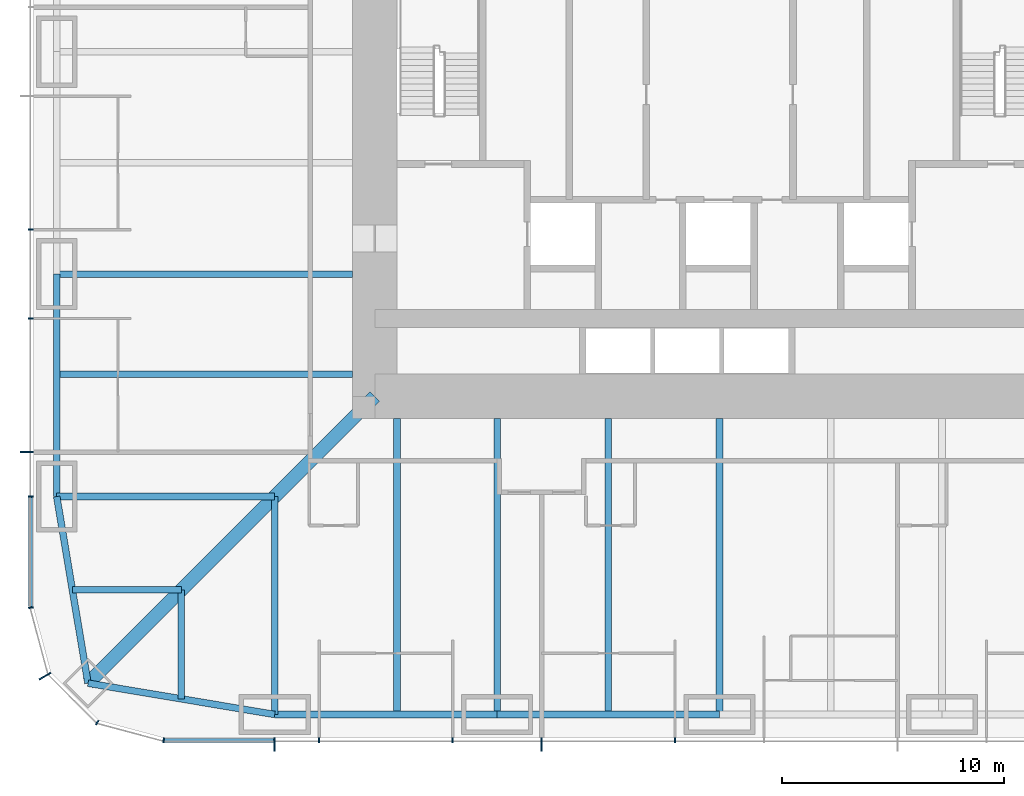
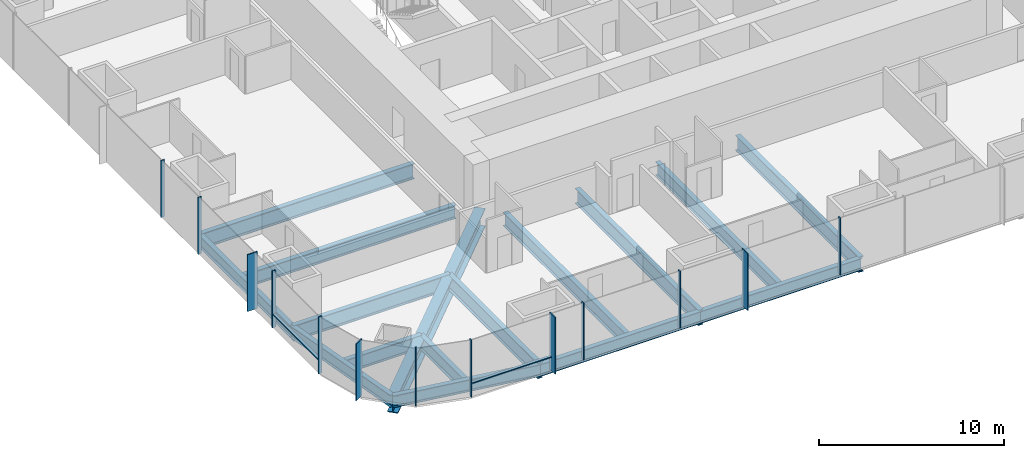
# One storey, part 2 of 17: 16 beams, 15 members, 3 elements without a shape of their own.
"""IFC4 building model written with IfcOpenShell, lengths in metres."""

from ifc_helpers import new_model, si_unit, direction, frame, origin, origin_2d, place, context, subcontext, project, spatial, rectangle, i_section, extrude, material, material_profile, profile_set, type_object, element, aggregate, save


model = new_model("IFC4")

# Units and contexts
model_context = context("Model", 3, precision=1e-05, world=origin(), true_north=direction((0.0, 1.0)))
body_context = subcontext(model_context, "Body", "Model", "MODEL_VIEW")
ifc_project = project(units=[si_unit("LENGTHUNIT", "METRE"), si_unit("AREAUNIT", "SQUARE_METRE"), si_unit("VOLUMEUNIT", "CUBIC_METRE"), si_unit("PLANEANGLEUNIT", "RADIAN"), si_unit("MASSUNIT", "GRAM", prefix="KILO")], contexts=[model_context])

# Site, building, storey
site_placement = place(None, origin())
site = spatial("IfcSite", under=ifc_project, at=site_placement, CompositionType="ELEMENT")
building_placement = place(site_placement, origin())
building = spatial("IfcBuilding", under=site, at=building_placement, Name="Khuree Lantern Residences", CompositionType="ELEMENT")
storey_placement = place(building_placement, frame((0.0, 0.0, 92.25)))
storey = spatial("IfcBuildingStorey", under=building, at=storey_placement, Name="L23", CompositionType="ELEMENT", Elevation=92.25)

# Beams
ifc_material_1 = material(Name="Steel S355", Category="steel")
ifc_material_profile_1 = material_profile(ifc_material_1, i_section(OverallWidth=0.300048828125, OverallDepth=0.889892578125, WebThickness=0.01611328125, FlangeThickness=0.030029296875, FilletRadius=0.030029296875, at=origin_2d()), Name="HE 900 A")
ifc_profile_set_1 = profile_set([ifc_material_profile_1], Name="Steel S355")
beam_type_1 = type_object("IfcBeamType", Name="B-15 SECONDARY BEAM HE 900 A", PredefinedType="BEAM", material=ifc_profile_set_1)
for number, where, z_axis, x_axis, name in (
    (1, (-5.0, -29.800048828125, -0.695068359375), (0.0, 1.0, 0.0), (-1.0, 0.0, 0.0), "Secondary beam S4"),
    (2, (-14.5, -29.800048828125, -0.695068359375), (0.0, 1.0, 0.0), (-1.0, 0.0, 0.0), "Secondary beam S5"),
):
    element("IfcBeam", number, at=place(storey_placement, frame(where, z_axis=z_axis, x_axis=x_axis)), inside=storey, type_object=beam_type_1, Name=name, PredefinedType="BEAM", context=body_context, shape_type="SweptSolid", body=[
        extrude(i_section(OverallWidth=0.300048828125, OverallDepth=0.889892578125, WebThickness=0.01611328125, FlangeThickness=0.030029296875, FilletRadius=0.030029296875, at=origin_2d()), origin(), (0.0, 0.0, 1.0), 13.300048828125),
    ])
for number, where, z_axis, x_axis, name in (
    (3, (-24.197021484375, -29.09716796875, -0.695068359375), (0.0, 1.0, 0.0), (-1.0, 0.0, 0.0), "Secondary beam S6"),
    (4, (-29.09716796875, -24.197021484375, -0.695068359375), (1.0, 0.0, 0.0), (0.0, 1.0, 0.0), "Secondary beam W1"),
):
    element("IfcBeam", number, at=place(storey_placement, frame(where, z_axis=z_axis, x_axis=x_axis)), inside=storey, type_object=beam_type_1, Name=name, PredefinedType="BEAM", context=body_context, shape_type="SweptSolid", body=[
        extrude(i_section(OverallWidth=0.300048828125, OverallDepth=0.889892578125, WebThickness=0.01611328125, FlangeThickness=0.030029296875, FilletRadius=0.030029296875, at=origin_2d()), origin(), (0.0, 0.0, 1.0), 4.900146484375),
    ])
beam_1_placement = place(storey_placement, frame((-29.800048828125, -14.5, -0.695068359375), z_axis=(1.0, 0.0, 0.0), x_axis=(0.0, 1.0, 0.0)))
element("IfcBeam", 5, at=beam_1_placement, inside=storey, type_object=beam_type_1, Name="Secondary beam W2", PredefinedType="BEAM", context=body_context, shape_type="SweptSolid", body=[
    extrude(i_section(OverallWidth=0.300048828125, OverallDepth=0.889892578125, WebThickness=0.01611328125, FlangeThickness=0.030029296875, FilletRadius=0.030029296875, at=origin_2d()), origin(), (0.0, 0.0, 1.0), 13.300048828125),
])
ifc_material_profile_2 = material_profile(ifc_material_1, i_section(OverallWidth=0.300048828125, OverallDepth=0.7900390625, WebThickness=0.014892578125, FlangeThickness=0.028076171875, FilletRadius=0.030029296875, at=origin_2d()), Name="HE 800 A")
ifc_profile_set_2 = profile_set([ifc_material_profile_2], Name="Steel S355")
beam_type_2 = type_object("IfcBeamType", Name="E-15 SPANDREL BEAM HE 800 A", PredefinedType="SPANDREL", material=ifc_profile_set_2)
for number, where, z_axis, x_axis, name in (
    (6, (0.0, -29.800048828125, -0.64501953125), (-1.0, 0.0, 0.0), (0.0, -1.0, 0.0), "Spandrel beam S4"),
    (7, (-10.0, -29.800048828125, -0.64501953125), (-1.0, 0.0, 0.0), (0.0, -1.0, 0.0), "Spandrel beam S5"),
):
    element("IfcBeam", number, at=place(storey_placement, frame(where, z_axis=z_axis, x_axis=x_axis)), inside=storey, type_object=beam_type_2, Name=name, PredefinedType="SPANDREL", context=body_context, shape_type="SweptSolid", body=[
        extrude(i_section(OverallWidth=0.300048828125, OverallDepth=0.7900390625, WebThickness=0.014892578125, FlangeThickness=0.028076171875, FilletRadius=0.030029296875, at=origin_2d()), origin(), (0.0, 0.0, 1.0), 10.0),
    ])
for number, where, z_axis, x_axis, name in (
    (8, (-20.0, -29.800048828125, -0.64501953125), (-0.986260251158, 0.165199022349, 0.0), (-0.165199022349, -0.986260251158, 0.0), "Spandrel beam S6"),
    (9, (-28.39404296875, -28.39404296875, -0.64501953125), (-0.165199022349, 0.986260251158, 0.0), (-0.986260251158, -0.165199022349, 0.0), "Spandrel beam W1"),
):
    element("IfcBeam", number, at=place(storey_placement, frame(where, z_axis=z_axis, x_axis=x_axis)), inside=storey, type_object=beam_type_2, Name=name, PredefinedType="SPANDREL", context=body_context, shape_type="SweptSolid", body=[
        extrude(i_section(OverallWidth=0.300048828125, OverallDepth=0.7900390625, WebThickness=0.014892578125, FlangeThickness=0.028076171875, FilletRadius=0.030029296875, at=origin_2d()), origin(), (0.0, 0.0, 1.0), 8.510986328125),
    ])
beam_2_placement = place(storey_placement, frame((-29.800048828125, -20.0, -0.64501953125), z_axis=(0.0, 1.0, 0.0), x_axis=(-1.0, 0.0, 0.0)))
element("IfcBeam", 10, at=beam_2_placement, inside=storey, type_object=beam_type_2, Name="Spandrel beam W2", PredefinedType="SPANDREL", context=body_context, shape_type="SweptSolid", body=[
    extrude(i_section(OverallWidth=0.300048828125, OverallDepth=0.7900390625, WebThickness=0.014892578125, FlangeThickness=0.028076171875, FilletRadius=0.030029296875, at=origin_2d()), origin(), (0.0, 0.0, 1.0), 10.0),
])

# Curtain wall, member
ifc_material_2 = material(Name="Bronze anodised aluminium", Category="aluminium")
curtain_wall_type_1 = type_object("IfcCurtainWallType", Name="CW-T1 TOWER FACE CURTAIN WALL", PredefinedType="USERDEFINED", material=ifc_material_2)
curtain_wall_1_placement = place(storey_placement, origin())
curtain_wall_1 = element("IfcCurtainWall", 11, at=curtain_wall_1_placement, inside=storey, type_object=curtain_wall_type_1, Name="L23 WEST FACE CURTAIN WALL", ObjectType="Stick-built curtain wall", PredefinedType="USERDEFINED")
ifc_material_profile_3 = material_profile(ifc_material_2, rectangle(XDim=0.06494140625, YDim=0.60009765625, at=origin_2d()), Name="F1 65X600")
ifc_profile_set_3 = profile_set([ifc_material_profile_3], Name="Bronze anodised aluminium")
member_type_1 = type_object("IfcMemberType", Name="F1 BRONZE FIN MULLION TOWER 65X600", PredefinedType="MULLION", material=ifc_profile_set_3)
member_1_placement = place(storey_placement, frame((-31.14990234375, -18.0, 0.0), z_axis=(0.0, 0.0, 1.0), x_axis=(0.0, -1.0, 0.0)))
member_1 = element("IfcMember", 12, at=member_1_placement, type_object=member_type_1, Name="L23 WEST FACE FIN MULLION 41", PredefinedType="MULLION", context=body_context, shape_type="SweptSolid", body=[
    extrude(rectangle(XDim=0.06494140625, YDim=0.60009765625, at=origin_2d()), origin(), (0.0, 0.0, 1.0), 3.75),
])

curtain_wall_type_2 = type_object("IfcCurtainWallType", Name="CW-T2 TOWER CORNER CURTAIN WALL", PredefinedType="USERDEFINED", material=ifc_material_2)
curtain_wall_2_placement = place(storey_placement, origin())
curtain_wall_2 = element("IfcCurtainWall", 13, at=curtain_wall_2_placement, inside=storey, type_object=curtain_wall_type_2, Name="L23 SOUTH-WEST CORNER CURTAIN WALL", ObjectType="Faceted corner curtain wall", PredefinedType="USERDEFINED")
member_2_placement = place(storey_placement, frame((-30.326171875, -28.074951171875, 0.0), z_axis=(0.0, 0.0, 1.0), x_axis=(0.500000056923, -0.86602537092, 0.0)))
member_2 = element("IfcMember", 14, at=member_2_placement, type_object=member_type_1, Name="L23 SOUTH-WEST CORNER FIN MULLION 44", PredefinedType="MULLION", context=body_context, shape_type="SweptSolid", body=[
    extrude(rectangle(XDim=0.06494140625, YDim=0.60009765625, at=origin_2d()), origin(), (0.0, 0.0, 1.0), 3.75),
])

# Curtain wall, members
curtain_wall_3_placement = place(storey_placement, origin())
curtain_wall_3 = element("IfcCurtainWall", 15, at=curtain_wall_3_placement, inside=storey, type_object=curtain_wall_type_1, Name="L23 SOUTH FACE CURTAIN WALL", ObjectType="Stick-built curtain wall", PredefinedType="USERDEFINED")
member_3_placement = place(storey_placement, frame((-20.0, -31.14990234375, 0.0), z_axis=(0.0, 0.0, 1.0), x_axis=(1.0, 0.0, 0.0)))
member_3 = element("IfcMember", 16, at=member_3_placement, type_object=member_type_1, Name="L23 SOUTH FACE FIN MULLION 47", PredefinedType="MULLION", context=body_context, shape_type="SweptSolid", body=[
    extrude(rectangle(XDim=0.06494140625, YDim=0.60009765625, at=origin_2d()), origin(), (0.0, 0.0, 1.0), 3.75),
])
member_4_placement = place(storey_placement, frame((-8.0, -31.14990234375, 0.0), z_axis=(0.0, 0.0, 1.0), x_axis=(1.0, 0.0, 0.0)))
member_4 = element("IfcMember", 17, at=member_4_placement, type_object=member_type_1, Name="L23 SOUTH FACE FIN MULLION 50", PredefinedType="MULLION", context=body_context, shape_type="SweptSolid", body=[
    extrude(rectangle(XDim=0.06494140625, YDim=0.60009765625, at=origin_2d()), origin(), (0.0, 0.0, 1.0), 3.75),
])

# Beams
ifc_material_profile_4 = material_profile(ifc_material_1, i_section(OverallWidth=0.302001953125, OverallDepth=1.008056640625, WebThickness=0.02099609375, FlangeThickness=0.0400390625, FilletRadius=0.030029296875, at=origin_2d()), Name="HE 1000 M")
ifc_profile_set_4 = profile_set([ifc_material_profile_4], Name="Steel S355")
beam_type_3 = type_object("IfcBeamType", Name="G-15 GIRDER HE 1000 M", PredefinedType="BEAM", material=ifc_profile_set_4)
for number, where, z_axis, x_axis, name in (
    (18, (0.0, -29.800048828125, -0.75390625), (0.0, 1.0, 0.0), (-1.0, 0.0, 0.0), "Girder S3"),
    (19, (-10.0, -29.800048828125, -0.75390625), (0.0, 1.0, 0.0), (-1.0, 0.0, 0.0), "Girder S4"),
):
    element("IfcBeam", number, at=place(storey_placement, frame(where, z_axis=z_axis, x_axis=x_axis)), inside=storey, type_object=beam_type_3, Name=name, PredefinedType="BEAM", context=body_context, shape_type="SweptSolid", body=[
        extrude(i_section(OverallWidth=0.302001953125, OverallDepth=1.008056640625, WebThickness=0.02099609375, FlangeThickness=0.0400390625, FilletRadius=0.030029296875, at=origin_2d()), origin(), (0.0, 0.0, 1.0), 13.300048828125),
    ])
for number, where, z_axis, x_axis, name in (
    (20, (-20.0, -29.800048828125, -0.75390625), (0.0, 1.0, 0.0), (-1.0, 0.0, 0.0), "Girder S5"),
    (21, (-29.800048828125, -20.0, -0.75390625), (1.0, 0.0, 0.0), (0.0, 1.0, 0.0), "Girder W1"),
):
    element("IfcBeam", number, at=place(storey_placement, frame(where, z_axis=z_axis, x_axis=x_axis)), inside=storey, type_object=beam_type_3, Name=name, PredefinedType="BEAM", context=body_context, shape_type="SweptSolid", body=[
        extrude(i_section(OverallWidth=0.302001953125, OverallDepth=1.008056640625, WebThickness=0.02099609375, FlangeThickness=0.0400390625, FilletRadius=0.030029296875, at=origin_2d()), origin(), (0.0, 0.0, 1.0), 9.800048828125),
    ])
beam_3_placement = place(storey_placement, frame((-29.800048828125, -10.0, -0.75390625), z_axis=(1.0, 0.0, 0.0), x_axis=(0.0, 1.0, 0.0)))
element("IfcBeam", 22, at=beam_3_placement, inside=storey, type_object=beam_type_3, Name="Girder W2", PredefinedType="BEAM", context=body_context, shape_type="SweptSolid", body=[
    extrude(i_section(OverallWidth=0.302001953125, OverallDepth=1.008056640625, WebThickness=0.02099609375, FlangeThickness=0.0400390625, FilletRadius=0.030029296875, at=origin_2d()), origin(), (0.0, 0.0, 1.0), 13.300048828125),
])
ifc_material_profile_5 = material_profile(ifc_material_1, i_section(OverallWidth=0.60009765625, OverallDepth=1.199951171875, WebThickness=0.030029296875, FlangeThickness=0.06005859375, at=origin_2d()), Name="WELDED I 1200X600X30X60")
ifc_profile_set_5 = profile_set([ifc_material_profile_5], Name="Steel S355")
beam_type_4 = type_object("IfcBeamType", Name="GD-15 CORNER GIRDER WELDED I 1200X600X30X60", PredefinedType="BEAM", material=ifc_profile_set_5)
beam_4_placement = place(storey_placement, frame((-28.39404296875, -28.39404296875, -0.85009765625), z_axis=(0.707106781187, 0.707106781187, 0.0), x_axis=(-0.707106781187, 0.707106781187, 0.0)))
element("IfcBeam", 23, at=beam_4_placement, inside=storey, type_object=beam_type_4, Name="Corner girder SW", PredefinedType="BEAM", context=body_context, shape_type="SweptSolid", body=[
    extrude(i_section(OverallWidth=0.60009765625, OverallDepth=1.199951171875, WebThickness=0.030029296875, FlangeThickness=0.06005859375, at=origin_2d()), origin(), (0.0, 0.0, 1.0), 18.23486328125),
])

# Member
ifc_material_profile_6 = material_profile(ifc_material_2, rectangle(XDim=0.06494140625, YDim=0.219970703125, at=origin_2d()), Name="M1 65X220")
ifc_profile_set_6 = profile_set([ifc_material_profile_6], Name="Bronze anodised aluminium")
member_type_2 = type_object("IfcMemberType", Name="M1 BRONZE MULLION TOWER 65X220", PredefinedType="MULLION", material=ifc_profile_set_6)
member_5_placement = place(storey_placement, frame((-30.9599609375, -8.0, 0.0), z_axis=(0.0, 0.0, 1.0), x_axis=(0.0, -1.0, 0.0)))
member_5 = element("IfcMember", 24, at=member_5_placement, type_object=member_type_2, Name="L23 WEST FACE MULLION 39", PredefinedType="MULLION", context=body_context, shape_type="SweptSolid", body=[
    extrude(rectangle(XDim=0.06494140625, YDim=0.219970703125, at=origin_2d()), origin(), (0.0, 0.0, 1.0), 3.75),
])

member_6_placement = place(storey_placement, frame((-30.9599609375, -12.0, 0.0), z_axis=(0.0, 0.0, 1.0), x_axis=(0.0, -1.0, 0.0)))
member_6 = element("IfcMember", 25, at=member_6_placement, type_object=member_type_2, Name="L23 WEST FACE MULLION 40", PredefinedType="MULLION", context=body_context, shape_type="SweptSolid", body=[
    extrude(rectangle(XDim=0.06494140625, YDim=0.219970703125, at=origin_2d()), origin(), (0.0, 0.0, 1.0), 3.75),
])

member_7_placement = place(storey_placement, frame((-30.9599609375, -20.0, 0.0), z_axis=(0.0, 0.0, 1.0), x_axis=(0.0, -1.0, 0.0)))
member_7 = element("IfcMember", 26, at=member_7_placement, type_object=member_type_2, Name="L23 WEST FACE MULLION 42", PredefinedType="MULLION", context=body_context, shape_type="SweptSolid", body=[
    extrude(rectangle(XDim=0.06494140625, YDim=0.219970703125, at=origin_2d()), origin(), (0.0, 0.0, 1.0), 3.75),
])

member_8_placement = place(storey_placement, frame((-30.961669921875, -24.994873046875, 0.0), z_axis=(0.0, 0.0, 1.0), x_axis=(0.130526257387, -0.991444852794, 0.0)))
member_8 = element("IfcMember", 27, at=member_8_placement, type_object=member_type_2, Name="L23 SOUTH-WEST CORNER MULLION 43", PredefinedType="MULLION", context=body_context, shape_type="SweptSolid", body=[
    extrude(rectangle(XDim=0.06494140625, YDim=0.219970703125, at=origin_2d()), origin(), (0.0, 0.0, 1.0), 3.75),
])

member_9_placement = place(storey_placement, frame((-27.97998046875, -30.16162109375, 0.0), z_axis=(0.0, 0.0, 1.0), x_axis=(0.86602537092, -0.500000056923, 0.0)))
member_9 = element("IfcMember", 28, at=member_9_placement, type_object=member_type_2, Name="L23 SOUTH-WEST CORNER MULLION 45", PredefinedType="MULLION", context=body_context, shape_type="SweptSolid", body=[
    extrude(rectangle(XDim=0.06494140625, YDim=0.219970703125, at=origin_2d()), origin(), (0.0, 0.0, 1.0), 3.75),
])

aggregate(curtain_wall_2, [member_8, member_2, member_9])

member_10_placement = place(storey_placement, frame((-24.994873046875, -30.961669921875, 0.0), z_axis=(0.0, 0.0, 1.0), x_axis=(0.991444852794, -0.130526257387, 0.0)))
member_10 = element("IfcMember", 29, at=member_10_placement, type_object=member_type_2, Name="L23 SOUTH FACE MULLION 46", PredefinedType="MULLION", context=body_context, shape_type="SweptSolid", body=[
    extrude(rectangle(XDim=0.06494140625, YDim=0.219970703125, at=origin_2d()), origin(), (0.0, 0.0, 1.0), 3.75),
])

member_11_placement = place(storey_placement, frame((-18.0, -30.9599609375, 0.0), z_axis=(0.0, 0.0, 1.0), x_axis=(1.0, 0.0, 0.0)))
member_11 = element("IfcMember", 30, at=member_11_placement, type_object=member_type_2, Name="L23 SOUTH FACE MULLION 48", PredefinedType="MULLION", context=body_context, shape_type="SweptSolid", body=[
    extrude(rectangle(XDim=0.06494140625, YDim=0.219970703125, at=origin_2d()), origin(), (0.0, 0.0, 1.0), 3.75),
])

member_12_placement = place(storey_placement, frame((-12.0, -30.9599609375, 0.0), z_axis=(0.0, 0.0, 1.0), x_axis=(1.0, 0.0, 0.0)))
member_12 = element("IfcMember", 31, at=member_12_placement, type_object=member_type_2, Name="L23 SOUTH FACE MULLION 49", PredefinedType="MULLION", context=body_context, shape_type="SweptSolid", body=[
    extrude(rectangle(XDim=0.06494140625, YDim=0.219970703125, at=origin_2d()), origin(), (0.0, 0.0, 1.0), 3.75),
])

member_13_placement = place(storey_placement, frame((-2.0, -30.9599609375, 0.0), z_axis=(0.0, 0.0, 1.0), x_axis=(1.0, 0.0, 0.0)))
member_13 = element("IfcMember", 32, at=member_13_placement, type_object=member_type_2, Name="L23 SOUTH FACE MULLION 51", PredefinedType="MULLION", context=body_context, shape_type="SweptSolid", body=[
    extrude(rectangle(XDim=0.06494140625, YDim=0.219970703125, at=origin_2d()), origin(), (0.0, 0.0, 1.0), 3.75),
])

ifc_material_profile_7 = material_profile(ifc_material_2, rectangle(XDim=0.179931640625, YDim=0.06494140625, at=origin_2d()), Name="T1 180X65")
ifc_profile_set_7 = profile_set([ifc_material_profile_7], Name="Bronze anodised aluminium")
member_type_3 = type_object("IfcMemberType", Name="TRANSOM T1 TOWER 180X65", PredefinedType="USERDEFINED", material=ifc_profile_set_7)
member_14_placement = place(storey_placement, frame((-30.969970703125, -20.032470703125, 0.89990234375), z_axis=(0.0, -1.0, 0.0), x_axis=(1.0, 0.0, 0.0)))
member_14 = element("IfcMember", 33, at=member_14_placement, type_object=member_type_3, Name="L23 WEST FACE TRANSOM 42.1", ObjectType="Transom", PredefinedType="USERDEFINED", context=body_context, shape_type="SweptSolid", body=[
    extrude(rectangle(XDim=0.179931640625, YDim=0.06494140625, at=origin_2d()), origin(), (0.0, 0.0, 1.0), 4.9189453125),
])

aggregate(curtain_wall_1, [member_5, member_6, member_1, member_7, member_14])

member_15_placement = place(storey_placement, frame((-24.951416015625, -30.969970703125, 0.89990234375), z_axis=(1.0, 0.0, 0.0), x_axis=(0.0, 1.0, 0.0)))
member_15 = element("IfcMember", 34, at=member_15_placement, type_object=member_type_3, Name="L23 SOUTH FACE TRANSOM 46.1", ObjectType="Transom", PredefinedType="USERDEFINED", context=body_context, shape_type="SweptSolid", body=[
    extrude(rectangle(XDim=0.179931640625, YDim=0.06494140625, at=origin_2d()), origin(), (0.0, 0.0, 1.0), 4.9189453125),
])

aggregate(curtain_wall_3, [member_10, member_3, member_11, member_12, member_4, member_13, member_15])

save(model, "model.ifc")
